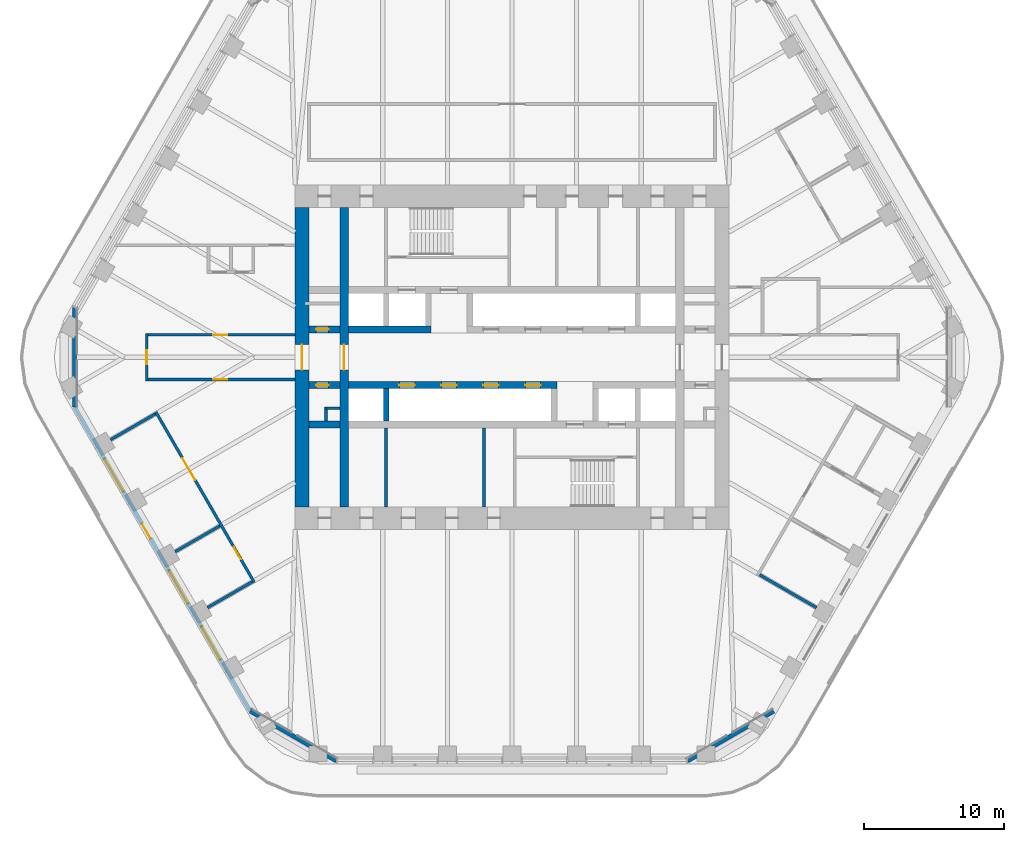
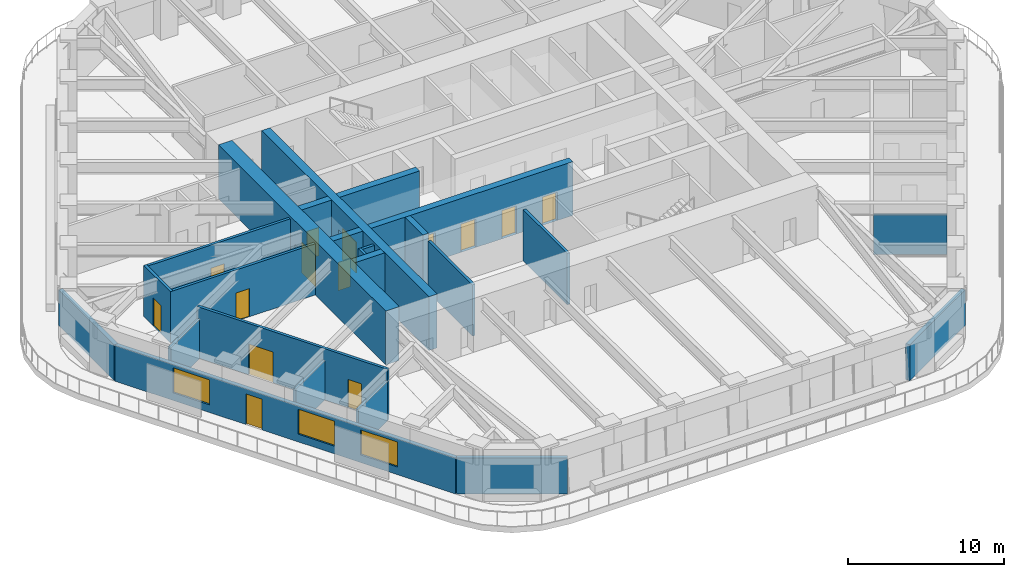
# One storey, part 14 of 20: 24 walls, 14 doors, 3 windows, 17 openings.
"""IFC4 building model written with IfcOpenShell, lengths in metres."""

from ifc_helpers import new_model, si_unit, direction, frame, frame_2d, origin, place, context, subcontext, project, spatial, rectangle, extrude, material, layer, layer_set, type_object, element, fill, save


model = new_model("IFC4")

# Units and contexts
model_context = context("Model", 3, precision=1e-05, world=origin(), true_north=direction((0.0, 1.0)))
body_context = subcontext(model_context, "Body", "Model", "MODEL_VIEW")
ifc_project = project(units=[si_unit("LENGTHUNIT", "METRE"), si_unit("AREAUNIT", "SQUARE_METRE"), si_unit("VOLUMEUNIT", "CUBIC_METRE"), si_unit("PLANEANGLEUNIT", "RADIAN"), si_unit("MASSUNIT", "GRAM", prefix="KILO")], contexts=[model_context])

# Site, building, storey
site_placement = place(None, origin())
site = spatial("IfcSite", under=ifc_project, at=site_placement, CompositionType="ELEMENT")
building_placement = place(site_placement, origin())
building = spatial("IfcBuilding", under=site, at=building_placement, Name="Tarfa Lantern Tower", CompositionType="ELEMENT")
storey_placement = place(building_placement, frame((0.0, 0.0, 244.89990234375)))
storey = spatial("IfcBuildingStorey", under=building, at=storey_placement, Name="L55", CompositionType="ELEMENT", Elevation=244.89990234375)

# Walls
ifc_material_1 = material(Name="Limestone cladding on blockwork", Category="masonry")
ifc_layer_1 = layer(ifc_material_1, 0.300048828125)
ifc_layer_set_1 = layer_set([ifc_layer_1], Name="EW1 STONE-CLAD WALL 300")
wall_type_1 = type_object("IfcWallType", Name="EW1 STONE-CLAD WALL 300", PredefinedType="SOLIDWALL", material=ifc_layer_set_1)
wall_1_placement = place(storey_placement, frame((-31.262939453125, 3.55078125, 0.0), z_axis=(0.0, 0.0, 1.0), x_axis=(0.0, -1.0, 0.0)))
element("IfcWall", 1, at=wall_1_placement, inside=storey, type_object=wall_type_1, Name="Garden wall NW-SW", PredefinedType="SOLIDWALL", context=body_context, shape_type="SweptSolid", body=[
    extrude(rectangle(XDim=7.1015625, YDim=0.300048828125, at=frame_2d((3.55078125, 0.0))), origin(), (0.0, 0.0, 1.0), 2.800048828125),
])
for number, where, z_axis, x_axis, name in (
    (2, (-18.70654296875, -25.299072265625, 0.0), (0.0, 0.0, 1.0), (0.866010973379, -0.500024993363, 0.0), "Garden wall SW-S"),
    (3, (12.556396484375, -28.85009765625, 0.0), (0.0, 0.0, 1.0), (0.866010973379, 0.500024993363, 0.0), "Garden wall S-SE"),
):
    element("IfcWall", number, at=place(storey_placement, frame(where, z_axis=z_axis, x_axis=x_axis)), inside=storey, type_object=wall_type_1, Name=name, PredefinedType="SOLIDWALL", context=body_context, shape_type="SweptSolid", body=[
        extrude(rectangle(XDim=7.101806640625, YDim=0.300048828125, at=frame_2d((3.55078125, 0.0))), origin(), (0.0, 0.0, 1.0), 2.800048828125),
    ])

# Wall, openings, door, windows
wall_2_placement = place(storey_placement, frame((-31.262939453125, -3.55078125, 0.0), z_axis=(0.0, 0.0, 1.0), x_axis=(0.500000442367, -0.866025148383, 0.0)))
wall_2 = element("IfcWall", 4, at=wall_2_placement, inside=storey, type_object=wall_type_1, Name="Stone wall SW", PredefinedType="SOLIDWALL", context=body_context, shape_type="SweptSolid", body=[
    extrude(rectangle(XDim=25.11279296875, YDim=0.300048828125, at=frame_2d((12.556396484375, 0.0))), origin(), (0.0, 0.0, 1.0), 2.800048828125),
])
opening_1_placement = place(wall_2_placement, frame((4.2783203125, 0.0, 0.60009765625)))
opening_1 = element("IfcOpeningElement", 5, at=opening_1_placement, cuts=wall_2, Name="Opening W14", PredefinedType="OPENING", context=body_context, shape_type="SweptSolid", body=[
    extrude(rectangle(XDim=2.699951171875, YDim=1.949951171875, at=frame_2d((1.35009765625, 0.97509765625))), frame((0.0, 0.159912109375, 0.0), z_axis=(0.0, -1.0, 0.0), x_axis=(1.0, 0.0, 0.0)), (0.0, 0.0, 1.0), 0.320068359375),
])
opening_2_placement = place(wall_2_placement, frame((9.64697265625, 0.0, 0.0)))
opening_2 = element("IfcOpeningElement", 6, at=opening_2_placement, cuts=wall_2, Name="Opening D49", PredefinedType="OPENING", context=body_context, shape_type="SweptSolid", body=[
    extrude(rectangle(XDim=1.199951171875, YDim=2.39990234375, at=frame_2d((0.60009765625, 1.199951171875))), frame((0.0, 0.159912109375, 0.0), z_axis=(0.0, -1.0, 0.0), x_axis=(1.0, 0.0, 0.0)), (0.0, 0.0, 1.0), 0.320068359375),
])
opening_3_placement = place(wall_2_placement, frame((13.515869140625, 0.0, 0.60009765625)))
opening_3 = element("IfcOpeningElement", 7, at=opening_3_placement, cuts=wall_2, Name="Opening W14", PredefinedType="OPENING", context=body_context, shape_type="SweptSolid", body=[
    extrude(rectangle(XDim=2.699951171875, YDim=1.949951171875, at=frame_2d((1.35009765625, 0.97509765625))), frame((0.0, 0.159912109375, 0.0), z_axis=(0.0, -1.0, 0.0), x_axis=(1.0, 0.0, 0.0)), (0.0, 0.0, 1.0), 0.320068359375),
])
opening_4_placement = place(wall_2_placement, frame((18.134521484375, 0.0, 0.60009765625)))
opening_4 = element("IfcOpeningElement", 8, at=opening_4_placement, cuts=wall_2, Name="Opening W14", PredefinedType="OPENING", context=body_context, shape_type="SweptSolid", body=[
    extrude(rectangle(XDim=2.699951171875, YDim=1.949951171875, at=frame_2d((1.35009765625, 0.97509765625))), frame((0.0, 0.159912109375, 0.0), z_axis=(0.0, -1.0, 0.0), x_axis=(1.0, 0.0, 0.0)), (0.0, 0.0, 1.0), 0.320068359375),
])
ifc_material_2 = material(Name="Aluminium framed glazed door", Category="aluminium")
door_type_1 = type_object("IfcDoorType", Name="BE3 BALCONY DOOR 1200x2400", OperationType="SINGLE_SWING_RIGHT", PredefinedType="DOOR", material=ifc_material_2)
door_1_placement = place(opening_2_placement, origin())
door_1 = element("IfcDoor", 9, at=door_1_placement, inside=storey, type_object=door_type_1, Name="Balcony door SW", OperationType="SINGLE_SWING_RIGHT", OverallHeight=2.39990234375, OverallWidth=1.199951171875, PredefinedType="DOOR", context=body_context, shape_type="SweptSolid", body=[
    extrude(rectangle(XDim=1.199951171875, YDim=2.39990234375, at=frame_2d((0.60009765625, 1.199951171875))), frame((0.0, 0.02490234375, 0.0), z_axis=(0.0, -1.0, 0.0), x_axis=(1.0, 0.0, 0.0)), (0.0, 0.0, 1.0), 0.050048828125),
])
fill(opening_2, door_1)
ifc_material_3 = material(Name="Aluminium frame, double glazed", Category="aluminium")
window_type = type_object("IfcWindowType", Name="W14 FULL-HEIGHT GLAZING 2700x1950", PartitioningType="SINGLE_PANEL", PredefinedType="WINDOW", material=ifc_material_3)
window_1_placement = place(opening_1_placement, origin())
window_1 = element("IfcWindow", 10, at=window_1_placement, inside=storey, type_object=window_type, Name="Window SW 2", OverallHeight=1.949951171875, OverallWidth=2.699951171875, PartitioningType="SINGLE_PANEL", PredefinedType="WINDOW", context=body_context, shape_type="SweptSolid", body=[
    extrude(rectangle(XDim=2.699951171875, YDim=1.949951171875, at=frame_2d((1.35009765625, 0.97509765625))), frame((0.0, 0.030029296875, 0.0), z_axis=(0.0, -1.0, 0.0), x_axis=(1.0, 0.0, 0.0)), (0.0, 0.0, 1.0), 0.06005859375),
])
fill(opening_1, window_1)
window_2_placement = place(opening_3_placement, origin())
window_2 = element("IfcWindow", 11, at=window_2_placement, inside=storey, type_object=window_type, Name="Window SW 4", OverallHeight=1.949951171875, OverallWidth=2.699951171875, PartitioningType="SINGLE_PANEL", PredefinedType="WINDOW", context=body_context, shape_type="SweptSolid", body=[
    extrude(rectangle(XDim=2.699951171875, YDim=1.949951171875, at=frame_2d((1.35009765625, 0.97509765625))), frame((0.0, 0.030029296875, 0.0), z_axis=(0.0, -1.0, 0.0), x_axis=(1.0, 0.0, 0.0)), (0.0, 0.0, 1.0), 0.06005859375),
])
fill(opening_3, window_2)
window_3_placement = place(opening_4_placement, origin())
window_3 = element("IfcWindow", 12, at=window_3_placement, inside=storey, type_object=window_type, Name="Window SW 5", OverallHeight=1.949951171875, OverallWidth=2.699951171875, PartitioningType="SINGLE_PANEL", PredefinedType="WINDOW", context=body_context, shape_type="SweptSolid", body=[
    extrude(rectangle(XDim=2.699951171875, YDim=1.949951171875, at=frame_2d((1.35009765625, 0.97509765625))), frame((0.0, 0.030029296875, 0.0), z_axis=(0.0, -1.0, 0.0), x_axis=(1.0, 0.0, 0.0)), (0.0, 0.0, 1.0), 0.06005859375),
])
fill(opening_4, window_3)

# Walls
ifc_material_4 = material(Name="Concrete blockwork", Category="masonry")
ifc_layer_2 = layer(ifc_material_4, 0.199951171875)
ifc_layer_set_2 = layer_set([ifc_layer_2], Name="IW1 BLOCKWORK PARTITION 200 EI 120")
wall_type_2 = type_object("IfcWallType", Name="IW1 BLOCKWORK PARTITION 200 EI 120", PredefinedType="PARTITIONING", material=ifc_layer_set_2)
for number, where, z_axis, x_axis, name in (
    (13, (-9.0, -5.050048828125, 0.0), (0.0, 0.0, 1.0), (0.0, -1.0, 0.0), "Core partition"),
    (14, (-2.0, -5.050048828125, 0.0), (0.0, 0.0, 1.0), (0.0, -1.0, 0.0), "Core partition"),
):
    element("IfcWall", number, at=place(storey_placement, frame(where, z_axis=z_axis, x_axis=x_axis)), inside=storey, type_object=wall_type_2, Name=name, PredefinedType="PARTITIONING", context=body_context, shape_type="SweptSolid", body=[
        extrude(rectangle(XDim=5.64990234375, YDim=0.199951171875, at=frame_2d((2.824951171875, 0.0))), origin(), (0.0, 0.0, 1.0), 4.0),
    ])
for number, where, z_axis, x_axis, name in (
    (15, (-12.300048828125, -3.64990234375, 0.0), (0.0, 0.0, 1.0), (-1.0, 0.0, 0.0), "Core partition"),
    (16, (-13.300048828125, -3.550048828125, 0.0), (0.0, 0.0, 1.0), (0.0, -1.0, 0.0), "Core partition"),
):
    element("IfcWall", number, at=place(storey_placement, frame(where, z_axis=z_axis, x_axis=x_axis)), inside=storey, type_object=wall_type_2, Name=name, PredefinedType="PARTITIONING", context=body_context, shape_type="SweptSolid", body=[
        extrude(rectangle(XDim=1.0, YDim=0.199951171875, at=frame_2d((0.5, 0.0))), origin(), (0.0, 0.0, 1.0), 4.0),
    ])
ifc_material_5 = material(Name="Gypsum board on steel studs", Category="steel")
ifc_layer_3 = layer(ifc_material_5, 0.2099609375)
ifc_layer_set_3 = layer_set([ifc_layer_3], Name="IW2 ACOUSTIC PARTITION 200")
wall_type_3 = type_object("IfcWallType", Name="IW2 ACOUSTIC PARTITION 200", PredefinedType="PARTITIONING", material=ifc_layer_set_3)
wall_3_placement = place(storey_placement, frame((17.69580078125, -15.550048828125, 0.0), z_axis=(0.0, 0.0, 1.0), x_axis=(0.866038532462, -0.499977259774, 0.0)))
element("IfcWall", 17, at=wall_3_placement, inside=storey, type_object=wall_type_3, Name="Partition", PredefinedType="PARTITIONING", context=body_context, shape_type="SweptSolid", body=[
    extrude(rectangle(XDim=4.699951171875, YDim=0.199951171875, at=frame_2d((2.35009765625, 0.0))), origin(), (0.0, 0.0, 1.0), 3.081787109375),
])

# Wall, openings, doors
wall_4_placement = place(storey_placement, frame((-25.453369140625, -3.913330078125, 0.0), z_axis=(0.0, 0.0, 1.0), x_axis=(0.499989069193, -0.866031714597, 0.0)))
wall_4 = element("IfcWall", 18, at=wall_4_placement, inside=storey, type_object=wall_type_3, Name="Partition", PredefinedType="PARTITIONING", context=body_context, shape_type="SweptSolid", body=[
    extrude(rectangle(XDim=14.056396484375, YDim=0.199951171875, at=frame_2d((7.0283203125, 0.0))), origin(), (0.0, 0.0, 1.0), 4.0),
])
opening_5_placement = place(wall_4_placement, frame((3.81884765625, 0.0, 0.0)))
opening_5 = element("IfcOpeningElement", 19, at=opening_5_placement, cuts=wall_4, Name="Opening D34", PredefinedType="OPENING", context=body_context, shape_type="SweptSolid", body=[
    extrude(rectangle(XDim=1.800048828125, YDim=2.39990234375, at=frame_2d((0.89990234375, 1.199951171875))), frame((0.0, 0.10986328125, 0.0), z_axis=(0.0, -1.0, 0.0), x_axis=(1.0, 0.0, 0.0)), (0.0, 0.0, 1.0), 0.219970703125),
])
opening_6_placement = place(wall_4_placement, frame((11.14697265625, 0.0, 0.0)))
opening_6 = element("IfcOpeningElement", 20, at=opening_6_placement, cuts=wall_4, Name="Opening D35", PredefinedType="OPENING", context=body_context, shape_type="SweptSolid", body=[
    extrude(rectangle(XDim=1.0, YDim=2.199951171875, at=frame_2d((0.5, 1.10009765625))), frame((0.0, 0.10986328125, 0.0), z_axis=(0.0, -1.0, 0.0), x_axis=(1.0, 0.0, 0.0)), (0.0, 0.0, 1.0), 0.219970703125),
])
ifc_material_6 = material(Name="Timber door", Category="wood")
door_type_2 = type_object("IfcDoorType", Name="DR1 ROOM DOOR 1000x2200", OperationType="SINGLE_SWING_LEFT", PredefinedType="DOOR", material=ifc_material_6)
door_2_placement = place(opening_6_placement, frame((1.0, 0.0, 0.0), z_axis=(0.0, 0.0, 1.0), x_axis=(-1.0, 0.0, 0.0)))
door_2 = element("IfcDoor", 21, at=door_2_placement, inside=storey, type_object=door_type_2, Name="Store door", OperationType="SINGLE_SWING_RIGHT", OverallHeight=2.199951171875, OverallWidth=1.0, PredefinedType="DOOR", context=body_context, shape_type="SweptSolid", body=[
    extrude(rectangle(XDim=1.0, YDim=2.199951171875, at=frame_2d((0.5, 1.10009765625))), frame((0.0, 0.02490234375, 0.0), z_axis=(0.0, -1.0, 0.0), x_axis=(1.0, 0.0, 0.0)), (0.0, 0.0, 1.0), 0.050048828125),
])
fill(opening_6, door_2)
door_type_3 = type_object("IfcDoorType", Name="DR2 ROOM DOOR 1800x2400", OperationType="DOUBLE_DOOR_SINGLE_SWING", PredefinedType="DOOR", material=ifc_material_6)
door_3_placement = place(opening_5_placement, frame((1.800048828125, 0.0, 0.0), z_axis=(0.0, 0.0, 1.0), x_axis=(-1.0, 0.0, 0.0)))
door_3 = element("IfcDoor", 22, at=door_3_placement, inside=storey, type_object=door_type_3, Name="File room door", OperationType="DOUBLE_DOOR_SINGLE_SWING", OverallHeight=2.39990234375, OverallWidth=1.800048828125, PredefinedType="DOOR", context=body_context, shape_type="SweptSolid", body=[
    extrude(rectangle(XDim=1.800048828125, YDim=2.39990234375, at=frame_2d((0.89990234375, 1.199951171875))), frame((0.0, 0.02490234375, 0.0), z_axis=(0.0, -1.0, 0.0), x_axis=(1.0, 0.0, 0.0)), (0.0, 0.0, 1.0), 0.050048828125),
])
fill(opening_5, door_3)

# Walls
for number, where, z_axis, x_axis, name in (
    (23, (-25.489990234375, -4.050048828125, 0.0), (0.0, 0.0, 1.0), (-0.866046040199, -0.499964254978, 0.0), "Partition"),
    (24, (-20.87109375, -12.050048828125, 0.0), (0.0, 0.0, 1.0), (-0.866046040199, -0.499964254978, 0.0), "Partition"),
    (25, (-18.561767578125, -16.050048828125, 0.0), (0.0, 0.0, 1.0), (-0.866046040199, -0.499964254978, 0.0), "Partition"),
):
    element("IfcWall", number, at=place(storey_placement, frame(where, z_axis=z_axis, x_axis=x_axis)), inside=storey, type_object=wall_type_3, Name=name, PredefinedType="PARTITIONING", context=body_context, shape_type="SweptSolid", body=[
        extrude(rectangle(XDim=3.699951171875, YDim=0.199951171875, at=frame_2d((1.85009765625, 0.0))), origin(), (0.0, 0.0, 1.0), 3.081787109375),
    ])

# Wall, opening, door
wall_5_placement = place(storey_placement, frame((-15.5, 1.60009765625, 0.0), z_axis=(0.0, 0.0, 1.0), x_axis=(-1.0, 0.0, 0.0)))
wall_5 = element("IfcWall", 26, at=wall_5_placement, inside=storey, type_object=wall_type_3, Name="Partition", PredefinedType="PARTITIONING", context=body_context, shape_type="SweptSolid", body=[
    extrude(rectangle(XDim=10.699951171875, YDim=0.199951171875, at=frame_2d((5.35009765625, 0.0))), origin(), (0.0, 0.0, 1.0), 4.0),
])
opening_7_placement = place(wall_5_placement, frame((4.85009765625, 0.0, 0.0)))
opening_7 = element("IfcOpeningElement", 27, at=opening_7_placement, cuts=wall_5, Name="Opening D43", PredefinedType="OPENING", context=body_context, shape_type="SweptSolid", body=[
    extrude(rectangle(XDim=1.0, YDim=2.199951171875, at=frame_2d((0.5, 1.10009765625))), frame((0.0, 0.10986328125, 0.0), z_axis=(0.0, -1.0, 0.0), x_axis=(1.0, 0.0, 0.0)), (0.0, 0.0, 1.0), 0.219970703125),
])
door_4_placement = place(opening_7_placement, frame((1.0, 0.0, 0.0), z_axis=(0.0, 0.0, 1.0), x_axis=(-1.0, 0.0, 0.0)))
door_4 = element("IfcDoor", 28, at=door_4_placement, inside=storey, type_object=door_type_2, Name="Corridor door", OperationType="SINGLE_SWING_LEFT", OverallHeight=2.199951171875, OverallWidth=1.0, PredefinedType="DOOR", context=body_context, shape_type="SweptSolid", body=[
    extrude(rectangle(XDim=1.0, YDim=2.199951171875, at=frame_2d((0.5, 1.10009765625))), frame((0.0, 0.02490234375, 0.0), z_axis=(0.0, -1.0, 0.0), x_axis=(1.0, 0.0, 0.0)), (0.0, 0.0, 1.0), 0.050048828125),
])
fill(opening_7, door_4)

wall_6_placement = place(storey_placement, frame((-15.5, -1.60009765625, 0.0), z_axis=(0.0, 0.0, 1.0), x_axis=(-1.0, 0.0, 0.0)))
wall_6 = element("IfcWall", 29, at=wall_6_placement, inside=storey, type_object=wall_type_3, Name="Partition", PredefinedType="PARTITIONING", context=body_context, shape_type="SweptSolid", body=[
    extrude(rectangle(XDim=10.699951171875, YDim=0.199951171875, at=frame_2d((5.35009765625, 0.0))), origin(), (0.0, 0.0, 1.0), 4.0),
])
opening_8_placement = place(wall_6_placement, frame((4.85009765625, 0.0, 0.0)))
opening_8 = element("IfcOpeningElement", 30, at=opening_8_placement, cuts=wall_6, Name="Opening D44", PredefinedType="OPENING", context=body_context, shape_type="SweptSolid", body=[
    extrude(rectangle(XDim=1.0, YDim=2.199951171875, at=frame_2d((0.5, 1.10009765625))), frame((0.0, 0.10986328125, 0.0), z_axis=(0.0, -1.0, 0.0), x_axis=(1.0, 0.0, 0.0)), (0.0, 0.0, 1.0), 0.219970703125),
])
door_5_placement = place(opening_8_placement, origin())
door_5 = element("IfcDoor", 31, at=door_5_placement, inside=storey, type_object=door_type_2, Name="Corridor door", OperationType="SINGLE_SWING_RIGHT", OverallHeight=2.199951171875, OverallWidth=1.0, PredefinedType="DOOR", context=body_context, shape_type="SweptSolid", body=[
    extrude(rectangle(XDim=1.0, YDim=2.199951171875, at=frame_2d((0.5, 1.10009765625))), frame((0.0, 0.02490234375, 0.0), z_axis=(0.0, -1.0, 0.0), x_axis=(1.0, 0.0, 0.0)), (0.0, 0.0, 1.0), 0.050048828125),
])
fill(opening_8, door_5)

wall_7_placement = place(storey_placement, frame((-26.10009765625, -1.699951171875, 0.0), z_axis=(0.0, 0.0, 1.0), x_axis=(0.0, 1.0, 0.0)))
wall_7 = element("IfcWall", 32, at=wall_7_placement, inside=storey, type_object=wall_type_3, Name="Partition", PredefinedType="PARTITIONING", context=body_context, shape_type="SweptSolid", body=[
    extrude(rectangle(XDim=3.39990234375, YDim=0.199951171875, at=frame_2d((1.699951171875, 0.0))), origin(), (0.0, 0.0, 1.0), 4.0),
])
opening_9_placement = place(wall_7_placement, frame((1.199951171875, 0.0, 0.0)))
opening_9 = element("IfcOpeningElement", 33, at=opening_9_placement, cuts=wall_7, Name="Opening D42", PredefinedType="OPENING", context=body_context, shape_type="SweptSolid", body=[
    extrude(rectangle(XDim=1.0, YDim=2.199951171875, at=frame_2d((0.5, 1.10009765625))), frame((0.0, 0.10986328125, 0.0), z_axis=(0.0, -1.0, 0.0), x_axis=(1.0, 0.0, 0.0)), (0.0, 0.0, 1.0), 0.219970703125),
])
door_6_placement = place(opening_9_placement, origin())
door_6 = element("IfcDoor", 34, at=door_6_placement, inside=storey, type_object=door_type_2, Name="Corridor door", OperationType="SINGLE_SWING_RIGHT", OverallHeight=2.199951171875, OverallWidth=1.0, PredefinedType="DOOR", context=body_context, shape_type="SweptSolid", body=[
    extrude(rectangle(XDim=1.0, YDim=2.199951171875, at=frame_2d((0.5, 1.10009765625))), frame((0.0, 0.02490234375, 0.0), z_axis=(0.0, -1.0, 0.0), x_axis=(1.0, 0.0, 0.0)), (0.0, 0.0, 1.0), 0.050048828125),
])
fill(opening_9, door_6)

ifc_material_7 = material(Name="Concrete C80/95", Category="concrete")
ifc_layer_4 = layer(ifc_material_7, 1.0)
ifc_layer_set_4 = layer_set([ifc_layer_4], Name="SW2 CORE WALL 1000")
wall_type_4 = type_object("IfcWallType", Name="SW2 CORE WALL 1000", PredefinedType="SHEAR", material=ifc_layer_set_4)
wall_8_placement = place(storey_placement, frame((-15.0, 10.699951171875, 0.0), z_axis=(0.0, 0.0, 1.0), x_axis=(0.0, -1.0, 0.0)))
wall_8 = element("IfcWall", 35, at=wall_8_placement, inside=storey, type_object=wall_type_4, Name="Core wall W", PredefinedType="SHEAR", context=body_context, shape_type="SweptSolid", body=[
    extrude(rectangle(XDim=21.39990234375, YDim=1.0, at=frame_2d((10.699951171875, 0.0))), origin(), (0.0, 0.0, 1.0), 4.2001953125),
])
opening_10_placement = place(wall_8_placement, frame((9.800048828125, 0.0, 0.0)))
opening_10 = element("IfcOpeningElement", 36, at=opening_10_placement, cuts=wall_8, Name="Opening D12", PredefinedType="OPENING", context=body_context, shape_type="SweptSolid", body=[
    extrude(rectangle(XDim=1.800048828125, YDim=2.39990234375, at=frame_2d((0.89990234375, 1.199951171875))), frame((0.0, 0.510009765625, 0.0), z_axis=(0.0, -1.0, 0.0), x_axis=(1.0, 0.0, 0.0)), (0.0, 0.0, 1.0), 1.02001953125),
])
ifc_material_8 = material(Name="Steel fire door", Category="steel")
door_type_4 = type_object("IfcDoorType", Name="DL1 LOBBY DOOR 1800x2400", OperationType="DOUBLE_DOOR_SINGLE_SWING", PredefinedType="DOOR", material=ifc_material_8)
door_7_placement = place(opening_10_placement, frame((1.800048828125, 0.0, 0.0), z_axis=(0.0, 0.0, 1.0), x_axis=(-1.0, 0.0, 0.0)))
door_7 = element("IfcDoor", 37, at=door_7_placement, inside=storey, type_object=door_type_4, Name="Lift lobby door", OperationType="DOUBLE_DOOR_SINGLE_SWING", OverallHeight=2.39990234375, OverallWidth=1.800048828125, PredefinedType="DOOR", context=body_context, shape_type="SweptSolid", body=[
    extrude(rectangle(XDim=1.800048828125, YDim=2.39990234375, at=frame_2d((0.89990234375, 1.199951171875))), frame((0.0, 0.02490234375, 0.0), z_axis=(0.0, -1.0, 0.0), x_axis=(1.0, 0.0, 0.0)), (0.0, 0.0, 1.0), 0.050048828125),
])
fill(opening_10, door_7)

ifc_layer_5 = layer(ifc_material_7, 0.5)
ifc_layer_set_5 = layer_set([ifc_layer_5], Name="SW5 CORE WALL 500")
wall_type_5 = type_object("IfcWallType", Name="SW5 CORE WALL 500", PredefinedType="SHEAR", material=ifc_layer_set_5)
wall_9_placement = place(storey_placement, frame((-14.5, 2.0, 0.0), z_axis=(0.0, 0.0, 1.0), x_axis=(1.0, 0.0, 0.0)))
wall_9 = element("IfcWall", 38, at=wall_9_placement, inside=storey, type_object=wall_type_5, Name="Core wall lobby west N", PredefinedType="SHEAR", context=body_context, shape_type="SweptSolid", body=[
    extrude(rectangle(XDim=2.199951171875, YDim=0.5, at=frame_2d((1.10009765625, 0.0))), origin(), (0.0, 0.0, 1.0), 4.2001953125),
])
opening_11_placement = place(wall_9_placement, frame((0.5, 0.0, 0.0)))
opening_11 = element("IfcOpeningElement", 39, at=opening_11_placement, cuts=wall_9, Name="Opening D15", PredefinedType="OPENING", context=body_context, shape_type="SweptSolid", body=[
    extrude(rectangle(XDim=0.89990234375, YDim=2.199951171875, at=frame_2d((0.449951171875, 1.10009765625))), frame((0.0, 0.260009765625, 0.0), z_axis=(0.0, -1.0, 0.0), x_axis=(1.0, 0.0, 0.0)), (0.0, 0.0, 1.0), 0.52001953125),
])
door_type_5 = type_object("IfcDoorType", Name="DF6 SERVICE ROOM DOOR 900x2200", OperationType="SINGLE_SWING_LEFT", PredefinedType="DOOR", material=ifc_material_8)
door_8_placement = place(opening_11_placement, origin())
door_8 = element("IfcDoor", 40, at=door_8_placement, inside=storey, type_object=door_type_5, Name="Service room door", OperationType="SINGLE_SWING_RIGHT", OverallHeight=2.199951171875, OverallWidth=0.89990234375, PredefinedType="DOOR", context=body_context, shape_type="SweptSolid", body=[
    extrude(rectangle(XDim=0.89990234375, YDim=2.199951171875, at=frame_2d((0.449951171875, 1.10009765625))), frame((0.0, 0.02490234375, 0.0), z_axis=(0.0, -1.0, 0.0), x_axis=(1.0, 0.0, 0.0)), (0.0, 0.0, 1.0), 0.050048828125),
])
fill(opening_11, door_8)

# Wall
wall_10_placement = place(storey_placement, frame((-11.699951171875, 2.0, 0.0), z_axis=(0.0, 0.0, 1.0), x_axis=(1.0, 0.0, 0.0)))
element("IfcWall", 41, at=wall_10_placement, inside=storey, type_object=wall_type_5, Name="Core wall lobby west N", PredefinedType="SHEAR", context=body_context, shape_type="SweptSolid", body=[
    extrude(rectangle(XDim=5.89990234375, YDim=0.5, at=frame_2d((2.949951171875, 0.0))), origin(), (0.0, 0.0, 1.0), 4.2001953125),
])

# Wall, openings, doors
wall_11_placement = place(storey_placement, frame((3.199951171875, -2.0, 0.0), z_axis=(0.0, 0.0, 1.0), x_axis=(-1.0, 0.0, 0.0)))
wall_11 = element("IfcWall", 42, at=wall_11_placement, inside=storey, type_object=wall_type_5, Name="Core wall lobby east S", PredefinedType="SHEAR", context=body_context, shape_type="SweptSolid", body=[
    extrude(rectangle(XDim=14.89990234375, YDim=0.5, at=frame_2d((7.449951171875, 0.0))), origin(), (0.0, 0.0, 1.0), 4.2001953125),
])
opening_12_placement = place(wall_11_placement, frame((1.14990234375, 0.0, 0.0)))
opening_12 = element("IfcOpeningElement", 43, at=opening_12_placement, cuts=wall_11, Name="Opening LD07", PredefinedType="OPENING", context=body_context, shape_type="SweptSolid", body=[
    extrude(rectangle(XDim=1.10009765625, YDim=2.199951171875, at=frame_2d((0.550048828125, 1.10009765625))), frame((0.0, 0.260009765625, 0.0), z_axis=(0.0, -1.0, 0.0), x_axis=(1.0, 0.0, 0.0)), (0.0, 0.0, 1.0), 0.52001953125),
])
opening_13_placement = place(wall_11_placement, frame((4.14990234375, 0.0, 0.0)))
opening_13 = element("IfcOpeningElement", 44, at=opening_13_placement, cuts=wall_11, Name="Opening LD08", PredefinedType="OPENING", context=body_context, shape_type="SweptSolid", body=[
    extrude(rectangle(XDim=1.10009765625, YDim=2.199951171875, at=frame_2d((0.550048828125, 1.10009765625))), frame((0.0, 0.260009765625, 0.0), z_axis=(0.0, -1.0, 0.0), x_axis=(1.0, 0.0, 0.0)), (0.0, 0.0, 1.0), 0.52001953125),
])
opening_14_placement = place(wall_11_placement, frame((7.14990234375, 0.0, 0.0)))
opening_14 = element("IfcOpeningElement", 45, at=opening_14_placement, cuts=wall_11, Name="Opening LD09", PredefinedType="OPENING", context=body_context, shape_type="SweptSolid", body=[
    extrude(rectangle(XDim=1.10009765625, YDim=2.199951171875, at=frame_2d((0.550048828125, 1.10009765625))), frame((0.0, 0.260009765625, 0.0), z_axis=(0.0, -1.0, 0.0), x_axis=(1.0, 0.0, 0.0)), (0.0, 0.0, 1.0), 0.52001953125),
])
opening_15_placement = place(wall_11_placement, frame((10.14990234375, 0.0, 0.0)))
opening_15 = element("IfcOpeningElement", 46, at=opening_15_placement, cuts=wall_11, Name="Opening LD10", PredefinedType="OPENING", context=body_context, shape_type="SweptSolid", body=[
    extrude(rectangle(XDim=1.10009765625, YDim=2.199951171875, at=frame_2d((0.550048828125, 1.10009765625))), frame((0.0, 0.260009765625, 0.0), z_axis=(0.0, -1.0, 0.0), x_axis=(1.0, 0.0, 0.0)), (0.0, 0.0, 1.0), 0.52001953125),
])
ifc_material_9 = material(Name="Stainless steel lift door", Category="steel")
door_type_6 = type_object("IfcDoorType", Name="LD2 LIFT LANDING DOOR 1100x2200", OperationType="SLIDING_TO_LEFT", PredefinedType="DOOR", material=ifc_material_9)
door_9_placement = place(opening_12_placement, frame((1.10009765625, 0.0, 0.0), z_axis=(0.0, 0.0, 1.0), x_axis=(-1.0, 0.0, 0.0)))
door_9 = element("IfcDoor", 47, at=door_9_placement, inside=storey, type_object=door_type_6, Name="Landing door PC5", OperationType="SLIDING_TO_LEFT", OverallHeight=2.199951171875, OverallWidth=1.10009765625, PredefinedType="DOOR", context=body_context, shape_type="SweptSolid", body=[
    extrude(rectangle(XDim=1.10009765625, YDim=2.199951171875, at=frame_2d((0.550048828125, 1.10009765625))), frame((0.0, 0.02490234375, 0.0), z_axis=(0.0, -1.0, 0.0), x_axis=(1.0, 0.0, 0.0)), (0.0, 0.0, 1.0), 0.050048828125),
])
fill(opening_12, door_9)
door_10_placement = place(opening_13_placement, frame((1.10009765625, 0.0, 0.0), z_axis=(0.0, 0.0, 1.0), x_axis=(-1.0, 0.0, 0.0)))
door_10 = element("IfcDoor", 48, at=door_10_placement, inside=storey, type_object=door_type_6, Name="Landing door PC6", OperationType="SLIDING_TO_LEFT", OverallHeight=2.199951171875, OverallWidth=1.10009765625, PredefinedType="DOOR", context=body_context, shape_type="SweptSolid", body=[
    extrude(rectangle(XDim=1.10009765625, YDim=2.199951171875, at=frame_2d((0.550048828125, 1.10009765625))), frame((0.0, 0.02490234375, 0.0), z_axis=(0.0, -1.0, 0.0), x_axis=(1.0, 0.0, 0.0)), (0.0, 0.0, 1.0), 0.050048828125),
])
fill(opening_13, door_10)
door_11_placement = place(opening_14_placement, frame((1.10009765625, 0.0, 0.0), z_axis=(0.0, 0.0, 1.0), x_axis=(-1.0, 0.0, 0.0)))
door_11 = element("IfcDoor", 49, at=door_11_placement, inside=storey, type_object=door_type_6, Name="Landing door PC7", OperationType="SLIDING_TO_LEFT", OverallHeight=2.199951171875, OverallWidth=1.10009765625, PredefinedType="DOOR", context=body_context, shape_type="SweptSolid", body=[
    extrude(rectangle(XDim=1.10009765625, YDim=2.199951171875, at=frame_2d((0.550048828125, 1.10009765625))), frame((0.0, 0.02490234375, 0.0), z_axis=(0.0, -1.0, 0.0), x_axis=(1.0, 0.0, 0.0)), (0.0, 0.0, 1.0), 0.050048828125),
])
fill(opening_14, door_11)
door_12_placement = place(opening_15_placement, frame((1.10009765625, 0.0, 0.0), z_axis=(0.0, 0.0, 1.0), x_axis=(-1.0, 0.0, 0.0)))
door_12 = element("IfcDoor", 50, at=door_12_placement, inside=storey, type_object=door_type_6, Name="Landing door PC8", OperationType="SLIDING_TO_LEFT", OverallHeight=2.199951171875, OverallWidth=1.10009765625, PredefinedType="DOOR", context=body_context, shape_type="SweptSolid", body=[
    extrude(rectangle(XDim=1.10009765625, YDim=2.199951171875, at=frame_2d((0.550048828125, 1.10009765625))), frame((0.0, 0.02490234375, 0.0), z_axis=(0.0, -1.0, 0.0), x_axis=(1.0, 0.0, 0.0)), (0.0, 0.0, 1.0), 0.050048828125),
])
fill(opening_15, door_12)

# Wall, opening, door
wall_12_placement = place(storey_placement, frame((-12.300048828125, -2.0, 0.0), z_axis=(0.0, 0.0, 1.0), x_axis=(-1.0, 0.0, 0.0)))
wall_12 = element("IfcWall", 51, at=wall_12_placement, inside=storey, type_object=wall_type_5, Name="Core wall lobby east S", PredefinedType="SHEAR", context=body_context, shape_type="SweptSolid", body=[
    extrude(rectangle(XDim=2.199951171875, YDim=0.5, at=frame_2d((1.10009765625, 0.0))), origin(), (0.0, 0.0, 1.0), 4.2001953125),
])
opening_16_placement = place(wall_12_placement, frame((0.800048828125, 0.0, 0.0)))
opening_16 = element("IfcOpeningElement", 52, at=opening_16_placement, cuts=wall_12, Name="Opening D14", PredefinedType="OPENING", context=body_context, shape_type="SweptSolid", body=[
    extrude(rectangle(XDim=0.89990234375, YDim=2.199951171875, at=frame_2d((0.449951171875, 1.10009765625))), frame((0.0, 0.260009765625, 0.0), z_axis=(0.0, -1.0, 0.0), x_axis=(1.0, 0.0, 0.0)), (0.0, 0.0, 1.0), 0.52001953125),
])
door_13_placement = place(opening_16_placement, origin())
door_13 = element("IfcDoor", 53, at=door_13_placement, inside=storey, type_object=door_type_5, Name="Service room door", OperationType="SINGLE_SWING_LEFT", OverallHeight=2.199951171875, OverallWidth=0.89990234375, PredefinedType="DOOR", context=body_context, shape_type="SweptSolid", body=[
    extrude(rectangle(XDim=0.89990234375, YDim=2.199951171875, at=frame_2d((0.449951171875, 1.10009765625))), frame((0.0, 0.02490234375, 0.0), z_axis=(0.0, -1.0, 0.0), x_axis=(1.0, 0.0, 0.0)), (0.0, 0.0, 1.0), 0.050048828125),
])
fill(opening_16, door_13)

# Walls
wall_13_placement = place(storey_placement, frame((-12.300048828125, -4.800048828125, 0.0), z_axis=(0.0, 0.0, 1.0), x_axis=(-1.0, 0.0, 0.0)))
element("IfcWall", 54, at=wall_13_placement, inside=storey, type_object=wall_type_5, Name="Core wall rear S", PredefinedType="SHEAR", context=body_context, shape_type="SweptSolid", body=[
    extrude(rectangle(XDim=2.199951171875, YDim=0.5, at=frame_2d((1.10009765625, 0.0))), origin(), (0.0, 0.0, 1.0), 4.2001953125),
])
ifc_layer_6 = layer(ifc_material_7, 0.39990234375)
ifc_layer_set_6 = layer_set([ifc_layer_6], Name="SW6 CORE WALL 400")
wall_type_6 = type_object("IfcWallType", Name="SW6 CORE WALL 400", PredefinedType="SHEAR", material=ifc_layer_set_6)
wall_14_placement = place(storey_placement, frame((-9.0, -2.25, 0.0), z_axis=(0.0, 0.0, 1.0), x_axis=(0.0, -1.0, 0.0)))
element("IfcWall", 55, at=wall_14_placement, inside=storey, type_object=wall_type_6, Name="Core wall divider S", PredefinedType="SHEAR", context=body_context, shape_type="SweptSolid", body=[
    extrude(rectangle(XDim=2.300048828125, YDim=0.39990234375, at=frame_2d((1.14990234375, 0.0))), origin(), (0.0, 0.0, 1.0), 4.2001953125),
])

# Wall, opening, door
ifc_layer_7 = layer(ifc_material_7, 0.60009765625)
ifc_layer_set_7 = layer_set([ifc_layer_7], Name="SW9 CORE WALL 600")
wall_type_7 = type_object("IfcWallType", Name="SW9 CORE WALL 600", PredefinedType="SHEAR", material=ifc_layer_set_7)
wall_15_placement = place(storey_placement, frame((-12.0, -10.699951171875, 0.0), z_axis=(0.0, 0.0, 1.0), x_axis=(0.0, 1.0, 0.0)))
wall_15 = element("IfcWall", 56, at=wall_15_placement, inside=storey, type_object=wall_type_7, Name="Core wall cross 12 m west", PredefinedType="SHEAR", context=body_context, shape_type="SweptSolid", body=[
    extrude(rectangle(XDim=21.39990234375, YDim=0.60009765625, at=frame_2d((10.699951171875, 0.0))), origin(), (0.0, 0.0, 1.0), 4.2001953125),
])
opening_17_placement = place(wall_15_placement, frame((9.800048828125, 0.0, 0.0)))
opening_17 = element("IfcOpeningElement", 57, at=opening_17_placement, cuts=wall_15, Name="Opening D26", PredefinedType="OPENING", context=body_context, shape_type="SweptSolid", body=[
    extrude(rectangle(XDim=1.800048828125, YDim=2.39990234375, at=frame_2d((0.89990234375, 1.199951171875))), frame((0.0, 0.31005859375, 0.0), z_axis=(0.0, -1.0, 0.0), x_axis=(1.0, 0.0, 0.0)), (0.0, 0.0, 1.0), 0.6201171875),
])
door_14_placement = place(opening_17_placement, origin())
door_14 = element("IfcDoor", 58, at=door_14_placement, inside=storey, type_object=door_type_4, Name="Lift lobby door", OperationType="DOUBLE_DOOR_SINGLE_SWING", OverallHeight=2.39990234375, OverallWidth=1.800048828125, PredefinedType="DOOR", context=body_context, shape_type="SweptSolid", body=[
    extrude(rectangle(XDim=1.800048828125, YDim=2.39990234375, at=frame_2d((0.89990234375, 1.199951171875))), frame((0.0, 0.02490234375, 0.0), z_axis=(0.0, -1.0, 0.0), x_axis=(1.0, 0.0, 0.0)), (0.0, 0.0, 1.0), 0.050048828125),
])
fill(opening_17, door_14)

save(model, "model.ifc")
